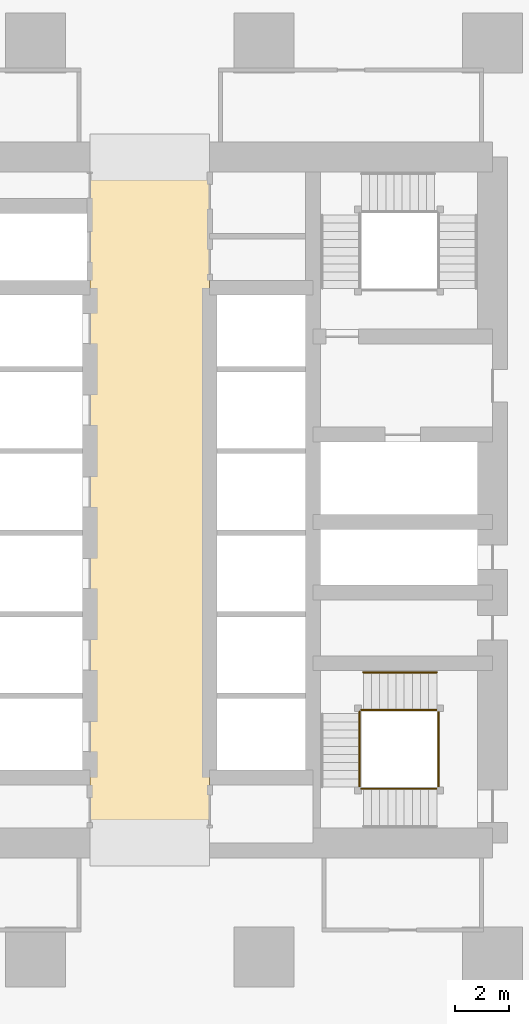
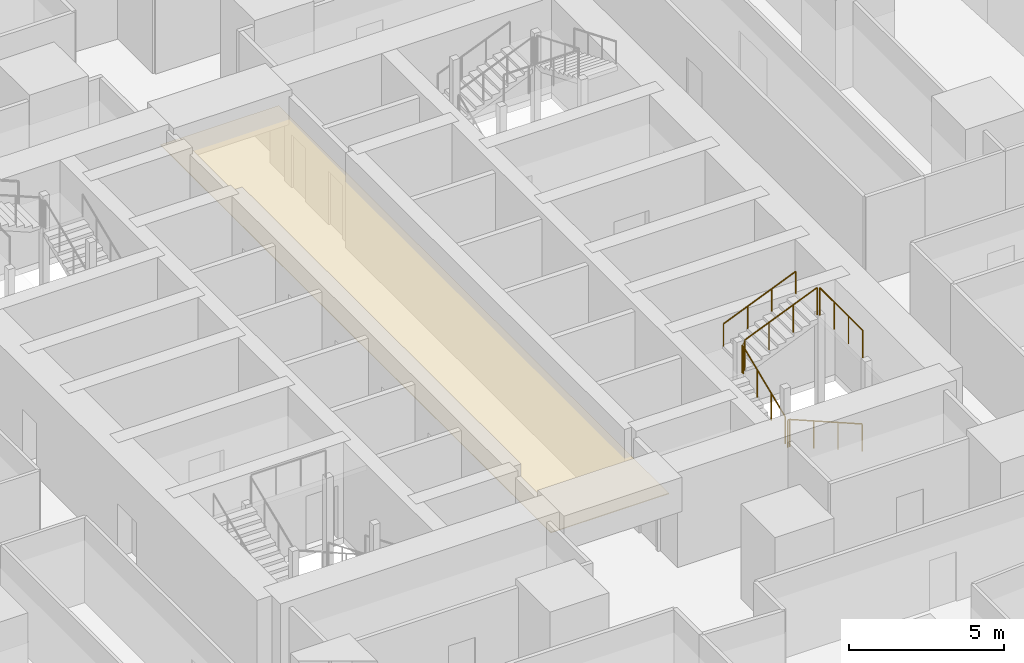
# One storey, part 39 of 44: 8 railings, 1 covering.
"""IFC4 building model written with IfcOpenShell, lengths in metres."""

from ifc_helpers import new_model, si_unit, direction, frame, origin, origin_2d, place, context, subcontext, project, spatial, polyline, circle, outline, extrude, material, layer, layer_set, type_object, element, save


model = new_model("IFC4")

# Units and contexts
model_context = context("Model", 3, precision=1e-05, world=origin(), true_north=direction((0.0, 1.0)))
body_context = subcontext(model_context, "Body", "Model", "MODEL_VIEW")
ifc_project = project(units=[si_unit("LENGTHUNIT", "METRE"), si_unit("AREAUNIT", "SQUARE_METRE"), si_unit("VOLUMEUNIT", "CUBIC_METRE"), si_unit("PLANEANGLEUNIT", "RADIAN"), si_unit("MASSUNIT", "GRAM", prefix="KILO")], contexts=[model_context])

# Site, building, storey
site_placement = place(None, origin())
site = spatial("IfcSite", under=ifc_project, at=site_placement, CompositionType="ELEMENT")
building_placement = place(site_placement, origin())
building = spatial("IfcBuilding", under=site, at=building_placement, Name="Rekha Terrace Tower", CompositionType="ELEMENT")
storey_placement = place(building_placement, frame((0.0, 0.0, 47.89990234375)))
storey = spatial("IfcBuildingStorey", under=building, at=storey_placement, Name="L11", CompositionType="ELEMENT", Elevation=47.89990234375)

# Covering
ifc_material_1 = material(Name="Powder-coated aluminium pan", Category="aluminium")
ifc_layer = layer(ifc_material_1, 0.030029296875)
ifc_layer_set = layer_set([ifc_layer], Name="Powder-coated aluminium pan")
covering_type = type_object("IfcCoveringType", Name="CL3 300x1200 metal pan ceiling", PredefinedType="CEILING", material=ifc_layer_set)
covering_placement = place(storey_placement, frame((0.0, 0.0, 2.570068359375)))
element("IfcCovering", 1, at=covering_placement, inside=storey, type_object=covering_type, Name="Ceiling L11-LOBBY", PredefinedType="CEILING", context=body_context, shape_type="SweptSolid", body=[
    extrude(outline(polyline([(40.0, 46.199951171875), (35.60009765625, 46.199951171875), (35.60009765625, 21.0), (40.0, 21.0), (40.0, 46.199951171875)])), origin(), (0.0, 0.0, 1.0), 0.030029296875),
])

# Railings
ifc_material_2 = material(Name="Stainless steel balustrade", Category="steel")
railing_type_1 = type_object("IfcRailingType", Name="GR1 1100 stair guard", PredefinedType="GUARDRAIL", material=ifc_material_2)
railing_1_placement = place(storey_placement, frame((48.35009765625, 22.989990234375, 0.125)))
element("IfcRailing", 2, at=railing_1_placement, inside=storey, type_object=railing_type_1, Name="Guard ST3 L11 flight 1", PredefinedType="GUARDRAIL", context=body_context, shape_type="SweptSolid", body=[
    extrude(circle(Radius=0.02392578125, at=origin_2d()), frame((0.0, 0.0, 1.076171875), z_axis=(-0.923086799901, 0.0, 0.38459167938), x_axis=(0.0, -1.0, 0.0)), (0.0, 0.0, 1.0), 2.92529296875),
    extrude(circle(Radius=0.02099609375, at=origin_2d()), origin(), (0.0, 0.0, 1.0), 1.052001953125),
    extrude(circle(Radius=0.02099609375, at=origin_2d()), frame((-0.900146484375, 0.0, 0.375)), (0.0, 0.0, 1.0), 1.052001953125),
    extrude(circle(Radius=0.02099609375, at=origin_2d()), frame((-1.800048828125, 0.0, 0.75)), (0.0, 0.0, 1.0), 1.052001953125),
    extrude(circle(Radius=0.02099609375, at=origin_2d()), frame((-2.7001953125, 0.0, 1.125)), (0.0, 0.0, 1.0), 1.052001953125),
])
railing_2_placement = place(storey_placement, frame((45.514892578125, 23.050048828125, 1.375)))
element("IfcRailing", 3, at=railing_2_placement, inside=storey, type_object=railing_type_1, Name="Guard ST3 L11 flight 2", PredefinedType="GUARDRAIL", context=body_context, shape_type="SweptSolid", body=[
    extrude(circle(Radius=0.02392578125, at=origin_2d()), frame((0.0, 0.0, 1.076171875), z_axis=(0.0, 0.923074453586, 0.384621311341), x_axis=(-1.0, 0.0, 0.0)), (0.0, 0.0, 1.0), 2.925048828125),
    extrude(circle(Radius=0.02099609375, at=origin_2d()), origin(), (0.0, 0.0, 1.0), 1.052001953125),
    extrude(circle(Radius=0.02099609375, at=origin_2d()), frame((0.0, 0.89990234375, 0.375)), (0.0, 0.0, 1.0), 1.052001953125),
    extrude(circle(Radius=0.02099609375, at=origin_2d()), frame((0.0, 1.800048828125, 0.75)), (0.0, 0.0, 1.0), 1.052001953125),
    extrude(circle(Radius=0.02099609375, at=origin_2d()), frame((0.0, 2.699951171875, 1.125)), (0.0, 0.0, 1.0), 1.052001953125),
])
railing_3_placement = place(storey_placement, frame((45.64990234375, 25.885009765625, 2.625)))
element("IfcRailing", 4, at=railing_3_placement, inside=storey, type_object=railing_type_1, Name="Guard ST3 L11 flight 3", PredefinedType="GUARDRAIL", context=body_context, shape_type="SweptSolid", body=[
    extrude(circle(Radius=0.02392578125, at=origin_2d()), frame((0.0, 0.0, 1.076171875), z_axis=(0.923086799901, 0.0, 0.38459167938), x_axis=(0.0, 1.0, 0.0)), (0.0, 0.0, 1.0), 2.92529296875),
    extrude(circle(Radius=0.02099609375, at=origin_2d()), origin(), (0.0, 0.0, 1.0), 1.052001953125),
    extrude(circle(Radius=0.02099609375, at=origin_2d()), frame((0.900146484375, 0.0, 0.375)), (0.0, 0.0, 1.0), 1.052001953125),
    extrude(circle(Radius=0.02099609375, at=origin_2d()), frame((1.800048828125, 0.0, 0.75)), (0.0, 0.0, 1.0), 1.052001953125),
    extrude(circle(Radius=0.02099609375, at=origin_2d()), frame((2.7001953125, 0.0, 1.125)), (0.0, 0.0, 1.0), 1.052001953125),
])
railing_4_placement = place(storey_placement, frame((45.64990234375, 22.989990234375, 1.25)))
element("IfcRailing", 5, at=railing_4_placement, inside=storey, type_object=railing_type_1, Name="Guard ST3 L11 landing 1", PredefinedType="GUARDRAIL", context=body_context, shape_type="SweptSolid", body=[
    extrude(circle(Radius=0.02392578125, at=origin_2d()), frame((0.0, 0.0, 1.076171875), z_axis=(-1.0, 0.0, 0.0), x_axis=(0.0, -1.0, 0.0)), (0.0, 0.0, 1.0), 0.074951171875),
    extrude(circle(Radius=0.02099609375, at=origin_2d()), origin(), (0.0, 0.0, 1.0), 1.052001953125),
    extrude(circle(Radius=0.02099609375, at=origin_2d()), frame((-0.074951171875, 0.0, 0.0)), (0.0, 0.0, 1.0), 1.052001953125),
])
railing_5_placement = place(storey_placement, frame((45.514892578125, 25.75, 2.5)))
element("IfcRailing", 6, at=railing_5_placement, inside=storey, type_object=railing_type_1, Name="Guard ST3 L11 landing 2", PredefinedType="GUARDRAIL", context=body_context, shape_type="SweptSolid", body=[
    extrude(circle(Radius=0.02392578125, at=origin_2d()), frame((0.0, 0.0, 1.076171875), z_axis=(0.0, 1.0, 0.0), x_axis=(-1.0, 0.0, 0.0)), (0.0, 0.0, 1.0), 0.074951171875),
    extrude(circle(Radius=0.02099609375, at=origin_2d()), origin(), (0.0, 0.0, 1.0), 1.052001953125),
    extrude(circle(Radius=0.02099609375, at=origin_2d()), frame((0.0, 0.074951171875, 0.0)), (0.0, 0.0, 1.0), 1.052001953125),
])
railing_6_placement = place(storey_placement, frame((45.64990234375, 25.885009765625, 2.5)))
element("IfcRailing", 7, at=railing_6_placement, inside=storey, type_object=railing_type_1, Name="Guard ST3 L11 landing 3", PredefinedType="GUARDRAIL", context=body_context, shape_type="SweptSolid", body=[
    extrude(circle(Radius=0.02392578125, at=origin_2d()), frame((0.0, 0.0, 1.076171875), z_axis=(-1.0, 0.0, 0.0), x_axis=(0.0, -1.0, 0.0)), (0.0, 0.0, 1.0), 0.074951171875),
    extrude(circle(Radius=0.02099609375, at=origin_2d()), origin(), (0.0, 0.0, 1.0), 1.052001953125),
    extrude(circle(Radius=0.02099609375, at=origin_2d()), frame((-0.074951171875, 0.0, 0.0)), (0.0, 0.0, 1.0), 1.052001953125),
])
railing_7_placement = place(storey_placement, frame((48.409912109375, 23.050048828125, 3.75)))
element("IfcRailing", 8, at=railing_7_placement, inside=storey, type_object=railing_type_1, Name="Guard ST3 L11 landing 4", PredefinedType="GUARDRAIL", context=body_context, shape_type="SweptSolid", body=[
    extrude(circle(Radius=0.02392578125, at=origin_2d()), frame((0.0, 0.0, 1.076171875), z_axis=(0.0, 1.0, 0.0), x_axis=(-1.0, 0.0, 0.0)), (0.0, 0.0, 1.0), 2.77490234375),
    extrude(circle(Radius=0.02099609375, at=origin_2d()), origin(), (0.0, 0.0, 1.0), 1.052001953125),
    extrude(circle(Radius=0.02099609375, at=origin_2d()), frame((0.0, 0.925048828125, 0.0)), (0.0, 0.0, 1.0), 1.052001953125),
    extrude(circle(Radius=0.02099609375, at=origin_2d()), frame((0.0, 1.849853515625, 0.0)), (0.0, 0.0, 1.0), 1.052001953125),
    extrude(circle(Radius=0.02099609375, at=origin_2d()), frame((0.0, 2.77490234375, 0.0)), (0.0, 0.0, 1.0), 1.052001953125),
])
ifc_material_3 = material(Name="Stainless steel tube", Category="steel")
railing_type_2 = type_object("IfcRailingType", Name="HR1 900 stair handrail", PredefinedType="HANDRAIL", material=ifc_material_3)
railing_8_placement = place(storey_placement, frame((45.64990234375, 27.264892578125, 2.625)))
element("IfcRailing", 9, at=railing_8_placement, inside=storey, type_object=railing_type_2, Name="Handrail ST3 L11 flight 3", PredefinedType="HANDRAIL", context=body_context, shape_type="SweptSolid", body=[
    extrude(circle(Radius=0.02392578125, at=origin_2d()), frame((0.0, 0.0, 0.8759765625), z_axis=(0.923086799901, 0.0, 0.38459167938), x_axis=(0.0, 1.0, 0.0)), (0.0, 0.0, 1.0), 2.92529296875),
    extrude(circle(Radius=0.02099609375, at=origin_2d()), origin(), (0.0, 0.0, 1.0), 0.851806640625),
    extrude(circle(Radius=0.02099609375, at=origin_2d()), frame((0.900146484375, 0.0, 0.375)), (0.0, 0.0, 1.0), 0.851806640625),
    extrude(circle(Radius=0.02099609375, at=origin_2d()), frame((1.800048828125, 0.0, 0.75)), (0.0, 0.0, 1.0), 0.851806640625),
    extrude(circle(Radius=0.02099609375, at=origin_2d()), frame((2.7001953125, 0.0, 1.125)), (0.0, 0.0, 1.0), 0.851806640625),
])

save(model, "model.ifc")
